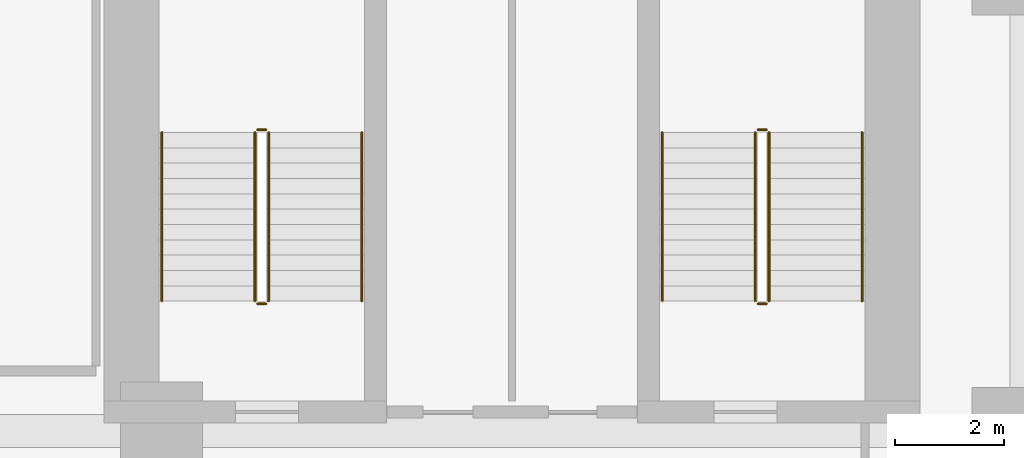
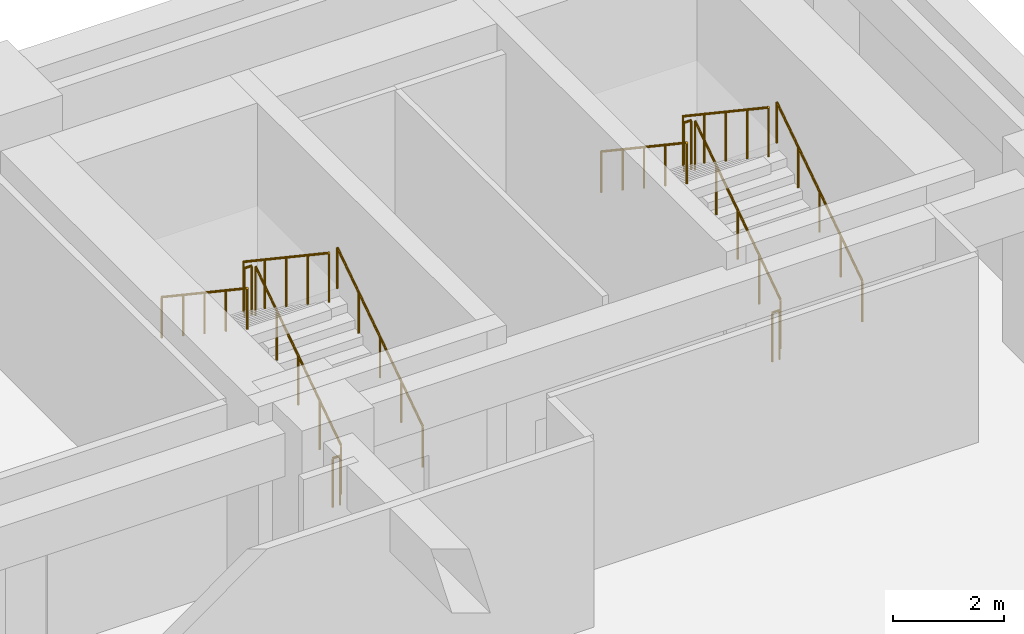
# One storey, part 6 of 6: 12 railings.
"""IFC4 building model written with IfcOpenShell, lengths in metres."""

from ifc_helpers import new_model, si_unit, direction, frame, origin, origin_2d, place, context, subcontext, project, spatial, circle, extrude, material, type_object, element, save


model = new_model("IFC4")

# Units and contexts
model_context = context("Model", 3, precision=1e-05, world=origin(), true_north=direction((0.0, 1.0)))
body_context = subcontext(model_context, "Body", "Model", "MODEL_VIEW")
ifc_project = project(units=[si_unit("LENGTHUNIT", "METRE"), si_unit("AREAUNIT", "SQUARE_METRE"), si_unit("VOLUMEUNIT", "CUBIC_METRE"), si_unit("PLANEANGLEUNIT", "RADIAN"), si_unit("MASSUNIT", "GRAM", prefix="KILO")], contexts=[model_context])

# Site, building, storey
site_placement = place(None, origin())
site = spatial("IfcSite", under=ifc_project, at=site_placement, CompositionType="ELEMENT")
building_placement = place(site_placement, origin())
building = spatial("IfcBuilding", under=site, at=building_placement, Name="Sulina Concourse Tower", CompositionType="ELEMENT")
storey_placement = place(building_placement, frame((0.0, 0.0, -4.5)))
storey = spatial("IfcBuildingStorey", under=building, at=storey_placement, Name="B1", CompositionType="ELEMENT", Elevation=-4.5)

# Railings
ifc_material_1 = material(Name="Galvanised steel railing", Category="steel")
railing_type_1 = type_object("IfcRailingType", Name="Core Stair Steel Guardrail 1150mm", PredefinedType="GUARDRAIL", material=ifc_material_1)
railing_1_placement = place(storey_placement, frame((43.554931640625, 36.375, 0.1875)))
element("IfcRailing", 1, at=railing_1_placement, inside=storey, type_object=railing_type_1, Name="B1 ST-3 stair guard 1", PredefinedType="GUARDRAIL", context=body_context, shape_type="SweptSolid", body=[
    extrude(circle(Radius=0.02392578125, at=origin_2d()), frame((0.0, 0.0, 1.076171875), z_axis=(0.0, 0.830913701846, 0.55640131208), x_axis=(-1.0, 0.0, 0.0)), (0.0, 0.0, 1.0), 3.706787109375),
    extrude(circle(Radius=0.02099609375, at=origin_2d()), origin(), (0.0, 0.0, 1.0), 1.052001953125),
    extrude(circle(Radius=0.02099609375, at=origin_2d()), frame((0.0, 0.77001953125, 0.515625)), (0.0, 0.0, 1.0), 1.052001953125),
    extrude(circle(Radius=0.02099609375, at=origin_2d()), frame((0.0, 1.5400390625, 1.03125)), (0.0, 0.0, 1.0), 1.052001953125),
    extrude(circle(Radius=0.02099609375, at=origin_2d()), frame((0.0, 2.31005859375, 1.546875)), (0.0, 0.0, 1.0), 1.052001953125),
    extrude(circle(Radius=0.02099609375, at=origin_2d()), frame((0.0, 3.080078125, 2.0625)), (0.0, 0.0, 1.0), 1.052001953125),
])
railing_2_placement = place(storey_placement, frame((43.5048828125, 39.5048828125, 2.25)))
element("IfcRailing", 2, at=railing_2_placement, inside=storey, type_object=railing_type_1, Name="B1 ST-3 stair guard 2", PredefinedType="GUARDRAIL", context=body_context, shape_type="SweptSolid", body=[
    extrude(circle(Radius=0.02392578125, at=origin_2d()), frame((0.0, 0.0, 1.076171875), z_axis=(-1.0, 0.0, 0.0), x_axis=(0.0, -1.0, 0.0)), (0.0, 0.0, 1.0), 0.14990234375),
    extrude(circle(Radius=0.02099609375, at=origin_2d()), origin(), (0.0, 0.0, 1.0), 1.052001953125),
    extrude(circle(Radius=0.02099609375, at=origin_2d()), frame((-0.14990234375, 0.0, 0.0)), (0.0, 0.0, 1.0), 1.052001953125),
])
railing_3_placement = place(storey_placement, frame((43.304931640625, 39.455078125, 2.4375)))
element("IfcRailing", 3, at=railing_3_placement, inside=storey, type_object=railing_type_1, Name="B1 ST-3 stair guard 3", PredefinedType="GUARDRAIL", context=body_context, shape_type="SweptSolid", body=[
    extrude(circle(Radius=0.02392578125, at=origin_2d()), frame((0.0, 0.0, 1.076171875), z_axis=(0.0, -0.830913701846, 0.55640131208), x_axis=(1.0, 0.0, 0.0)), (0.0, 0.0, 1.0), 3.706787109375),
    extrude(circle(Radius=0.02099609375, at=origin_2d()), origin(), (0.0, 0.0, 1.0), 1.052001953125),
    extrude(circle(Radius=0.02099609375, at=origin_2d()), frame((0.0, -0.77001953125, 0.515625)), (0.0, 0.0, 1.0), 1.052001953125),
    extrude(circle(Radius=0.02099609375, at=origin_2d()), frame((0.0, -1.5400390625, 1.03125)), (0.0, 0.0, 1.0), 1.052001953125),
    extrude(circle(Radius=0.02099609375, at=origin_2d()), frame((0.0, -2.31005859375, 1.546875)), (0.0, 0.0, 1.0), 1.052001953125),
    extrude(circle(Radius=0.02099609375, at=origin_2d()), frame((0.0, -3.080078125, 2.0625)), (0.0, 0.0, 1.0), 1.052001953125),
])
railing_4_placement = place(storey_placement, frame((43.5048828125, 36.324951171875, 0.0)))
element("IfcRailing", 4, at=railing_4_placement, inside=storey, type_object=railing_type_1, Name="B1 ST-3 stair guard 4", PredefinedType="GUARDRAIL", context=body_context, shape_type="SweptSolid", body=[
    extrude(circle(Radius=0.02392578125, at=origin_2d()), frame((0.0, 0.0, 1.076171875), z_axis=(-1.0, 0.0, 0.0), x_axis=(0.0, -1.0, 0.0)), (0.0, 0.0, 1.0), 0.14990234375),
    extrude(circle(Radius=0.02099609375, at=origin_2d()), origin(), (0.0, 0.0, 1.0), 1.052001953125),
    extrude(circle(Radius=0.02099609375, at=origin_2d()), frame((-0.14990234375, 0.0, 0.0)), (0.0, 0.0, 1.0), 1.052001953125),
])
railing_5_placement = place(storey_placement, frame((52.695068359375, 36.375, 0.1875)))
element("IfcRailing", 5, at=railing_5_placement, inside=storey, type_object=railing_type_1, Name="B1 ST-4 stair guard 1", PredefinedType="GUARDRAIL", context=body_context, shape_type="SweptSolid", body=[
    extrude(circle(Radius=0.02392578125, at=origin_2d()), frame((0.0, 0.0, 1.076171875), z_axis=(0.0, 0.830913701846, 0.55640131208), x_axis=(-1.0, 0.0, 0.0)), (0.0, 0.0, 1.0), 3.706787109375),
    extrude(circle(Radius=0.02099609375, at=origin_2d()), origin(), (0.0, 0.0, 1.0), 1.052001953125),
    extrude(circle(Radius=0.02099609375, at=origin_2d()), frame((0.0, 0.77001953125, 0.515625)), (0.0, 0.0, 1.0), 1.052001953125),
    extrude(circle(Radius=0.02099609375, at=origin_2d()), frame((0.0, 1.5400390625, 1.03125)), (0.0, 0.0, 1.0), 1.052001953125),
    extrude(circle(Radius=0.02099609375, at=origin_2d()), frame((0.0, 2.31005859375, 1.546875)), (0.0, 0.0, 1.0), 1.052001953125),
    extrude(circle(Radius=0.02099609375, at=origin_2d()), frame((0.0, 3.080078125, 2.0625)), (0.0, 0.0, 1.0), 1.052001953125),
])
railing_6_placement = place(storey_placement, frame((52.64501953125, 39.5048828125, 2.25)))
element("IfcRailing", 6, at=railing_6_placement, inside=storey, type_object=railing_type_1, Name="B1 ST-4 stair guard 2", PredefinedType="GUARDRAIL", context=body_context, shape_type="SweptSolid", body=[
    extrude(circle(Radius=0.02392578125, at=origin_2d()), frame((0.0, 0.0, 1.076171875), z_axis=(-1.0, 0.0, 0.0), x_axis=(0.0, -1.0, 0.0)), (0.0, 0.0, 1.0), 0.14990234375),
    extrude(circle(Radius=0.02099609375, at=origin_2d()), origin(), (0.0, 0.0, 1.0), 1.052001953125),
    extrude(circle(Radius=0.02099609375, at=origin_2d()), frame((-0.14990234375, 0.0, 0.0)), (0.0, 0.0, 1.0), 1.052001953125),
])
railing_7_placement = place(storey_placement, frame((52.445068359375, 39.455078125, 2.4375)))
element("IfcRailing", 7, at=railing_7_placement, inside=storey, type_object=railing_type_1, Name="B1 ST-4 stair guard 3", PredefinedType="GUARDRAIL", context=body_context, shape_type="SweptSolid", body=[
    extrude(circle(Radius=0.02392578125, at=origin_2d()), frame((0.0, 0.0, 1.076171875), z_axis=(0.0, -0.830913701846, 0.55640131208), x_axis=(1.0, 0.0, 0.0)), (0.0, 0.0, 1.0), 3.706787109375),
    extrude(circle(Radius=0.02099609375, at=origin_2d()), origin(), (0.0, 0.0, 1.0), 1.052001953125),
    extrude(circle(Radius=0.02099609375, at=origin_2d()), frame((0.0, -0.77001953125, 0.515625)), (0.0, 0.0, 1.0), 1.052001953125),
    extrude(circle(Radius=0.02099609375, at=origin_2d()), frame((0.0, -1.5400390625, 1.03125)), (0.0, 0.0, 1.0), 1.052001953125),
    extrude(circle(Radius=0.02099609375, at=origin_2d()), frame((0.0, -2.31005859375, 1.546875)), (0.0, 0.0, 1.0), 1.052001953125),
    extrude(circle(Radius=0.02099609375, at=origin_2d()), frame((0.0, -3.080078125, 2.0625)), (0.0, 0.0, 1.0), 1.052001953125),
])
railing_8_placement = place(storey_placement, frame((52.64501953125, 36.324951171875, 0.0)))
element("IfcRailing", 8, at=railing_8_placement, inside=storey, type_object=railing_type_1, Name="B1 ST-4 stair guard 4", PredefinedType="GUARDRAIL", context=body_context, shape_type="SweptSolid", body=[
    extrude(circle(Radius=0.02392578125, at=origin_2d()), frame((0.0, 0.0, 1.076171875), z_axis=(-1.0, 0.0, 0.0), x_axis=(0.0, -1.0, 0.0)), (0.0, 0.0, 1.0), 0.14990234375),
    extrude(circle(Radius=0.02099609375, at=origin_2d()), origin(), (0.0, 0.0, 1.0), 1.052001953125),
    extrude(circle(Radius=0.02099609375, at=origin_2d()), frame((-0.14990234375, 0.0, 0.0)), (0.0, 0.0, 1.0), 1.052001953125),
])
ifc_material_2 = material(Name="Galvanised steel railing", Category="steel")
railing_type_2 = type_object("IfcRailingType", Name="Stair Wall Steel Handrail 920mm", PredefinedType="HANDRAIL", material=ifc_material_2)
railing_9_placement = place(storey_placement, frame((45.2548828125, 36.375, 0.1875)))
element("IfcRailing", 9, at=railing_9_placement, inside=storey, type_object=railing_type_2, Name="B1 ST-3 stair handrail 1", PredefinedType="HANDRAIL", context=body_context, shape_type="SweptSolid", body=[
    extrude(circle(Radius=0.02392578125, at=origin_2d()), frame((0.0, 0.0, 0.89599609375), z_axis=(0.0, 0.830913701846, 0.55640131208), x_axis=(-1.0, 0.0, 0.0)), (0.0, 0.0, 1.0), 3.706787109375),
    extrude(circle(Radius=0.02099609375, at=origin_2d()), origin(), (0.0, 0.0, 1.0), 0.871826171875),
    extrude(circle(Radius=0.02099609375, at=origin_2d()), frame((0.0, 0.77001953125, 0.515625)), (0.0, 0.0, 1.0), 0.871826171875),
    extrude(circle(Radius=0.02099609375, at=origin_2d()), frame((0.0, 1.5400390625, 1.03125)), (0.0, 0.0, 1.0), 0.871826171875),
    extrude(circle(Radius=0.02099609375, at=origin_2d()), frame((0.0, 2.31005859375, 1.546875)), (0.0, 0.0, 1.0), 0.871826171875),
    extrude(circle(Radius=0.02099609375, at=origin_2d()), frame((0.0, 3.080078125, 2.0625)), (0.0, 0.0, 1.0), 0.871826171875),
])
railing_10_placement = place(storey_placement, frame((41.60498046875, 39.455078125, 2.4375)))
element("IfcRailing", 10, at=railing_10_placement, inside=storey, type_object=railing_type_2, Name="B1 ST-3 stair handrail 2", PredefinedType="HANDRAIL", context=body_context, shape_type="SweptSolid", body=[
    extrude(circle(Radius=0.02392578125, at=origin_2d()), frame((0.0, 0.0, 0.89599609375), z_axis=(0.0, -0.830913701846, 0.55640131208), x_axis=(1.0, 0.0, 0.0)), (0.0, 0.0, 1.0), 3.706787109375),
    extrude(circle(Radius=0.02099609375, at=origin_2d()), origin(), (0.0, 0.0, 1.0), 0.871826171875),
    extrude(circle(Radius=0.02099609375, at=origin_2d()), frame((0.0, -0.77001953125, 0.515625)), (0.0, 0.0, 1.0), 0.871826171875),
    extrude(circle(Radius=0.02099609375, at=origin_2d()), frame((0.0, -1.5400390625, 1.03125)), (0.0, 0.0, 1.0), 0.871826171875),
    extrude(circle(Radius=0.02099609375, at=origin_2d()), frame((0.0, -2.31005859375, 1.546875)), (0.0, 0.0, 1.0), 0.871826171875),
    extrude(circle(Radius=0.02099609375, at=origin_2d()), frame((0.0, -3.080078125, 2.0625)), (0.0, 0.0, 1.0), 0.871826171875),
])
railing_11_placement = place(storey_placement, frame((54.39501953125, 36.375, 0.1875)))
element("IfcRailing", 11, at=railing_11_placement, inside=storey, type_object=railing_type_2, Name="B1 ST-4 stair handrail 1", PredefinedType="HANDRAIL", context=body_context, shape_type="SweptSolid", body=[
    extrude(circle(Radius=0.02392578125, at=origin_2d()), frame((0.0, 0.0, 0.89599609375), z_axis=(0.0, 0.830913701846, 0.55640131208), x_axis=(-1.0, 0.0, 0.0)), (0.0, 0.0, 1.0), 3.706787109375),
    extrude(circle(Radius=0.02099609375, at=origin_2d()), origin(), (0.0, 0.0, 1.0), 0.871826171875),
    extrude(circle(Radius=0.02099609375, at=origin_2d()), frame((0.0, 0.77001953125, 0.515625)), (0.0, 0.0, 1.0), 0.871826171875),
    extrude(circle(Radius=0.02099609375, at=origin_2d()), frame((0.0, 1.5400390625, 1.03125)), (0.0, 0.0, 1.0), 0.871826171875),
    extrude(circle(Radius=0.02099609375, at=origin_2d()), frame((0.0, 2.31005859375, 1.546875)), (0.0, 0.0, 1.0), 0.871826171875),
    extrude(circle(Radius=0.02099609375, at=origin_2d()), frame((0.0, 3.080078125, 2.0625)), (0.0, 0.0, 1.0), 0.871826171875),
])
railing_12_placement = place(storey_placement, frame((50.7451171875, 39.455078125, 2.4375)))
element("IfcRailing", 12, at=railing_12_placement, inside=storey, type_object=railing_type_2, Name="B1 ST-4 stair handrail 2", PredefinedType="HANDRAIL", context=body_context, shape_type="SweptSolid", body=[
    extrude(circle(Radius=0.02392578125, at=origin_2d()), frame((0.0, 0.0, 0.89599609375), z_axis=(0.0, -0.830913701846, 0.55640131208), x_axis=(1.0, 0.0, 0.0)), (0.0, 0.0, 1.0), 3.706787109375),
    extrude(circle(Radius=0.02099609375, at=origin_2d()), origin(), (0.0, 0.0, 1.0), 0.871826171875),
    extrude(circle(Radius=0.02099609375, at=origin_2d()), frame((0.0, -0.77001953125, 0.515625)), (0.0, 0.0, 1.0), 0.871826171875),
    extrude(circle(Radius=0.02099609375, at=origin_2d()), frame((0.0, -1.5400390625, 1.03125)), (0.0, 0.0, 1.0), 0.871826171875),
    extrude(circle(Radius=0.02099609375, at=origin_2d()), frame((0.0, -2.31005859375, 1.546875)), (0.0, 0.0, 1.0), 0.871826171875),
    extrude(circle(Radius=0.02099609375, at=origin_2d()), frame((0.0, -3.080078125, 2.0625)), (0.0, 0.0, 1.0), 0.871826171875),
])

save(model, "model.ifc")
